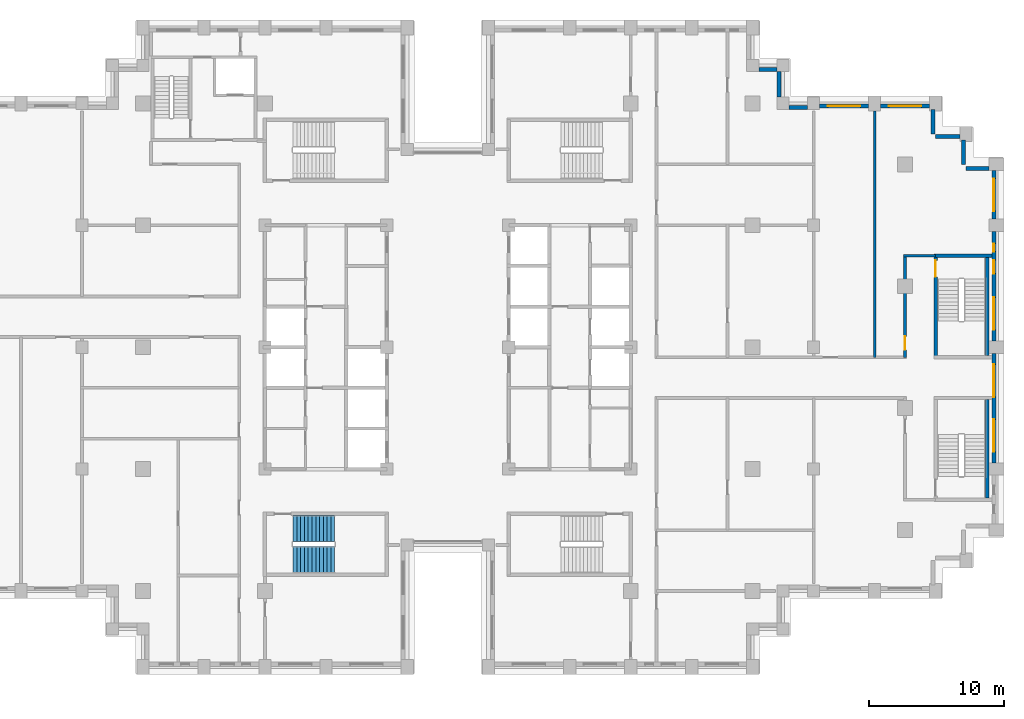
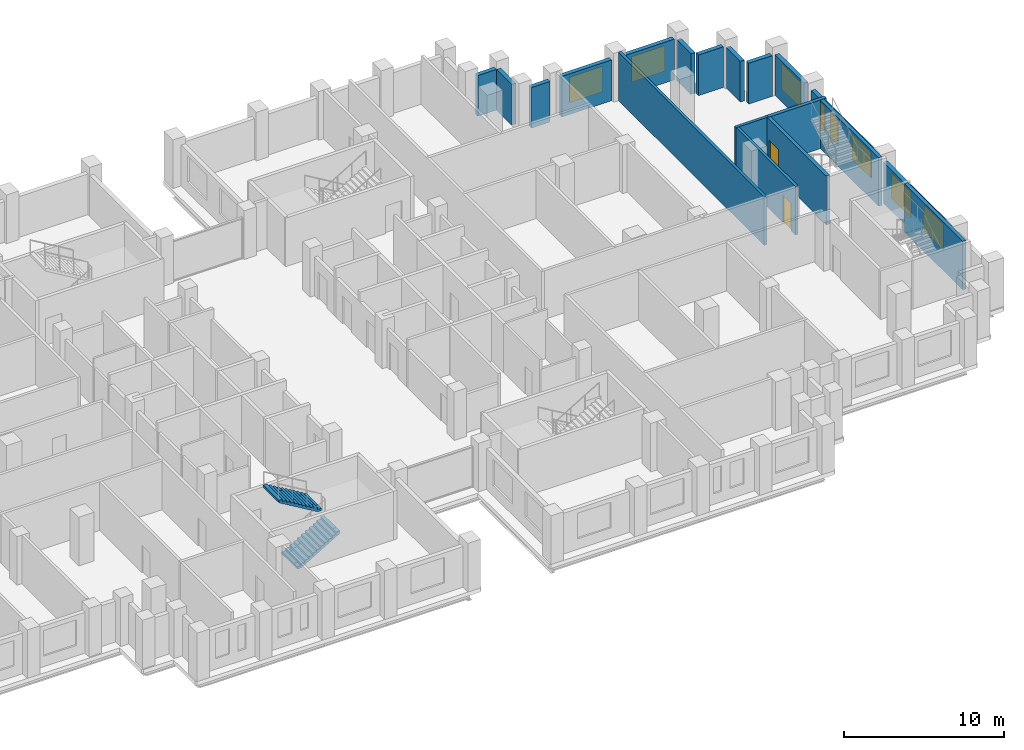
# One storey, part 12 of 15: 19 walls, 8 windows, 2 doors, 2 stair flights, 10 openings, 1 element without a shape of its own.
"""IFC4 building model written with IfcOpenShell, lengths in metres."""

from ifc_helpers import new_model, si_unit, direction, frame, frame_2d, origin, place, context, subcontext, project, spatial, polyline, rectangle, outline, extrude, material, layer, layer_set, type_object, element, fill, aggregate, save


model = new_model("IFC4")

# Units and contexts
model_context = context("Model", 3, precision=1e-05, world=origin(), true_north=direction((0.0, 1.0)))
body_context = subcontext(model_context, "Body", "Model", "MODEL_VIEW")
ifc_project = project(units=[si_unit("LENGTHUNIT", "METRE"), si_unit("AREAUNIT", "SQUARE_METRE"), si_unit("VOLUMEUNIT", "CUBIC_METRE"), si_unit("PLANEANGLEUNIT", "RADIAN"), si_unit("MASSUNIT", "GRAM", prefix="KILO")], contexts=[model_context])

# Site, building, storey
site_placement = place(None, origin())
site = spatial("IfcSite", under=ifc_project, at=site_placement, CompositionType="ELEMENT")
building_placement = place(site_placement, origin())
building = spatial("IfcBuilding", under=site, at=building_placement, Name="Corbelhall Arena Tower", CompositionType="ELEMENT")
storey_placement = place(building_placement, frame((0.0, 0.0, 130.0)))
storey = spatial("IfcBuildingStorey", under=building, at=storey_placement, Name="L24", CompositionType="ELEMENT", Elevation=130.0)

# Walls
ifc_material_1 = material(Name="Precast concrete C40/50 with granite facing", Category="masonry")
ifc_layer_1 = layer(ifc_material_1, 0.300048828125)
ifc_layer_set_1 = layer_set([ifc_layer_1], Name="EV-IW1 Infill panel 300")
wall_type_1 = type_object("IfcWallType", Name="EV-IW1 Infill panel 300", PredefinedType="SOLIDWALL", material=ifc_layer_set_1)
wall_1_placement = place(storey_placement, frame((39.949951171875, 13.199951171875, 0.0), z_axis=(0.0, 0.0, 1.0), x_axis=(-1.0, 0.0, 0.0)))
element("IfcWall", 1, at=wall_1_placement, inside=storey, type_object=wall_type_1, Name="Infill panel IW1", PredefinedType="SOLIDWALL", context=body_context, shape_type="SweptSolid", body=[
    extrude(rectangle(XDim=1.699951171875, YDim=0.300048828125, at=frame_2d((0.85009765625, 0.0))), origin(), (0.0, 0.0, 1.0), 3.10009765625),
])
for number, where, z_axis, x_axis, name in (
    (2, (38.050048828125, 15.300048828125, 0.0), (0.0, 0.0, 1.0), (0.0, -1.0, 0.0), "Infill panel IW1"),
    (3, (37.800048828125, 15.550048828125, 0.0), (0.0, 0.0, 1.0), (-1.0, 0.0, 0.0), "Infill panel IW1"),
    (4, (35.800048828125, 17.550048828125, 0.0), (0.0, 0.0, 1.0), (0.0, -1.0, 0.0), "Infill panel IW1"),
):
    element("IfcWall", number, at=place(storey_placement, frame(where, z_axis=z_axis, x_axis=x_axis)), inside=storey, type_object=wall_type_1, Name=name, PredefinedType="SOLIDWALL", context=body_context, shape_type="SweptSolid", body=[
        extrude(rectangle(XDim=1.800048828125, YDim=0.300048828125, at=frame_2d((0.89990234375, 0.0))), origin(), (0.0, 0.0, 1.0), 3.10009765625),
    ])

# Wall, openings, windows
wall_2_placement = place(storey_placement, frame((40.300048828125, -8.550048828125, 0.0), z_axis=(0.0, 0.0, 1.0), x_axis=(0.0, 1.0, 0.0)))
wall_2 = element("IfcWall", 5, at=wall_2_placement, inside=storey, type_object=wall_type_1, Name="Infill panel IW1", PredefinedType="SOLIDWALL", context=body_context, shape_type="SweptSolid", body=[
    extrude(rectangle(XDim=8.10009765625, YDim=0.300048828125, at=frame_2d((4.050048828125, 0.0))), origin(), (0.0, 0.0, 1.0), 3.10009765625),
])
opening_1_placement = place(wall_2_placement, frame((0.824951171875, 0.0, 0.800048828125)))
opening_1 = element("IfcOpeningElement", 6, at=opening_1_placement, cuts=wall_2, Name="Opening WN1", PredefinedType="OPENING", context=body_context, shape_type="SweptSolid", body=[
    extrude(rectangle(XDim=2.39990234375, YDim=1.949951171875, at=frame_2d((1.199951171875, 0.97509765625))), frame((0.0, 0.14990234375, 0.0), z_axis=(0.0, -1.0, 0.0), x_axis=(1.0, 0.0, 0.0)), (0.0, 0.0, 1.0), 0.300048828125),
])
opening_2_placement = place(wall_2_placement, frame((4.875, 0.0, 0.800048828125)))
opening_2 = element("IfcOpeningElement", 7, at=opening_2_placement, cuts=wall_2, Name="Opening WN1", PredefinedType="OPENING", context=body_context, shape_type="SweptSolid", body=[
    extrude(rectangle(XDim=2.39990234375, YDim=1.949951171875, at=frame_2d((1.199951171875, 0.97509765625))), frame((0.0, 0.14990234375, 0.0), z_axis=(0.0, -1.0, 0.0), x_axis=(1.0, 0.0, 0.0)), (0.0, 0.0, 1.0), 0.300048828125),
])
ifc_material_2 = material(Name="Aluminium black anodised", Category="aluminium")
window_type_1 = type_object("IfcWindowType", Name="EV-WN1 Office window", PartitioningType="SINGLE_PANEL", PredefinedType="WINDOW", material=ifc_material_2)
window_1_placement = place(opening_1_placement, origin())
window_1 = element("IfcWindow", 8, at=window_1_placement, inside=storey, type_object=window_type_1, Name="Window WN1", OverallHeight=1.949951171875, OverallWidth=2.39990234375, PartitioningType="SINGLE_PANEL", PredefinedType="WINDOW", context=body_context, shape_type="SweptSolid", body=[
    extrude(rectangle(XDim=2.39990234375, YDim=1.949951171875, at=frame_2d((1.199951171875, 0.97509765625))), frame((0.0, 0.030029296875, 0.0), z_axis=(0.0, -1.0, 0.0), x_axis=(1.0, 0.0, 0.0)), (0.0, 0.0, 1.0), 0.06005859375),
])
fill(opening_1, window_1)
window_2_placement = place(opening_2_placement, origin())
window_2 = element("IfcWindow", 9, at=window_2_placement, inside=storey, type_object=window_type_1, Name="Window WN1", OverallHeight=1.949951171875, OverallWidth=2.39990234375, PartitioningType="SINGLE_PANEL", PredefinedType="WINDOW", context=body_context, shape_type="SweptSolid", body=[
    extrude(rectangle(XDim=2.39990234375, YDim=1.949951171875, at=frame_2d((1.199951171875, 0.97509765625))), frame((0.0, 0.030029296875, 0.0), z_axis=(0.0, -1.0, 0.0), x_axis=(1.0, 0.0, 0.0)), (0.0, 0.0, 1.0), 0.06005859375),
])
fill(opening_2, window_2)

wall_3_placement = place(storey_placement, frame((40.300048828125, 0.449951171875, 0.0), z_axis=(0.0, 0.0, 1.0), x_axis=(0.0, 1.0, 0.0)))
wall_3 = element("IfcWall", 10, at=wall_3_placement, inside=storey, type_object=wall_type_1, Name="Infill panel IW1", PredefinedType="SOLIDWALL", context=body_context, shape_type="SweptSolid", body=[
    extrude(rectangle(XDim=8.10009765625, YDim=0.300048828125, at=frame_2d((4.050048828125, 0.0))), origin(), (0.0, 0.0, 1.0), 3.10009765625),
])
opening_3_placement = place(wall_3_placement, frame((0.824951171875, 0.0, 0.800048828125)))
opening_3 = element("IfcOpeningElement", 11, at=opening_3_placement, cuts=wall_3, Name="Opening WN1", PredefinedType="OPENING", context=body_context, shape_type="SweptSolid", body=[
    extrude(rectangle(XDim=2.39990234375, YDim=1.949951171875, at=frame_2d((1.199951171875, 0.97509765625))), frame((0.0, 0.14990234375, 0.0), z_axis=(0.0, -1.0, 0.0), x_axis=(1.0, 0.0, 0.0)), (0.0, 0.0, 1.0), 0.300048828125),
])
opening_4_placement = place(wall_3_placement, frame((4.97509765625, 0.0, 0.800048828125)))
opening_4 = element("IfcOpeningElement", 12, at=opening_4_placement, cuts=wall_3, Name="Opening WN6", PredefinedType="OPENING", context=body_context, shape_type="SweptSolid", body=[
    extrude(rectangle(XDim=1.0, YDim=1.949951171875, at=frame_2d((0.5, 0.97509765625))), frame((0.0, 0.14990234375, 0.0), z_axis=(0.0, -1.0, 0.0), x_axis=(1.0, 0.0, 0.0)), (0.0, 0.0, 1.0), 0.300048828125),
])
opening_5_placement = place(wall_3_placement, frame((6.60009765625, 0.0, 0.800048828125)))
opening_5 = element("IfcOpeningElement", 13, at=opening_5_placement, cuts=wall_3, Name="Opening WN5", PredefinedType="OPENING", context=body_context, shape_type="SweptSolid", body=[
    extrude(rectangle(XDim=0.60009765625, YDim=1.949951171875, at=frame_2d((0.300048828125, 0.97509765625))), frame((0.0, 0.14990234375, 0.0), z_axis=(0.0, -1.0, 0.0), x_axis=(1.0, 0.0, 0.0)), (0.0, 0.0, 1.0), 0.300048828125),
])
window_3_placement = place(opening_3_placement, origin())
window_3 = element("IfcWindow", 14, at=window_3_placement, inside=storey, type_object=window_type_1, Name="Window WN1", OverallHeight=1.949951171875, OverallWidth=2.39990234375, PartitioningType="SINGLE_PANEL", PredefinedType="WINDOW", context=body_context, shape_type="SweptSolid", body=[
    extrude(rectangle(XDim=2.39990234375, YDim=1.949951171875, at=frame_2d((1.199951171875, 0.97509765625))), frame((0.0, 0.030029296875, 0.0), z_axis=(0.0, -1.0, 0.0), x_axis=(1.0, 0.0, 0.0)), (0.0, 0.0, 1.0), 0.06005859375),
])
fill(opening_3, window_3)
window_type_2 = type_object("IfcWindowType", Name="EV-WN5 Office window 600", PartitioningType="SINGLE_PANEL", PredefinedType="WINDOW", material=ifc_material_2)
window_4_placement = place(opening_5_placement, origin())
window_4 = element("IfcWindow", 15, at=window_4_placement, inside=storey, type_object=window_type_2, Name="Window WN5", OverallHeight=1.949951171875, OverallWidth=0.60009765625, PartitioningType="SINGLE_PANEL", PredefinedType="WINDOW", context=body_context, shape_type="SweptSolid", body=[
    extrude(rectangle(XDim=0.60009765625, YDim=1.949951171875, at=frame_2d((0.300048828125, 0.97509765625))), frame((0.0, 0.030029296875, 0.0), z_axis=(0.0, -1.0, 0.0), x_axis=(1.0, 0.0, 0.0)), (0.0, 0.0, 1.0), 0.06005859375),
])
fill(opening_5, window_4)
window_type_3 = type_object("IfcWindowType", Name="EV-WN6 Office window 1000", PartitioningType="SINGLE_PANEL", PredefinedType="WINDOW", material=ifc_material_2)
window_5_placement = place(opening_4_placement, origin())
window_5 = element("IfcWindow", 16, at=window_5_placement, inside=storey, type_object=window_type_3, Name="Window WN6", OverallHeight=1.949951171875, OverallWidth=1.0, PartitioningType="SINGLE_PANEL", PredefinedType="WINDOW", context=body_context, shape_type="SweptSolid", body=[
    extrude(rectangle(XDim=1.0, YDim=1.949951171875, at=frame_2d((0.5, 0.97509765625))), frame((0.0, 0.030029296875, 0.0), z_axis=(0.0, -1.0, 0.0), x_axis=(1.0, 0.0, 0.0)), (0.0, 0.0, 1.0), 0.06005859375),
])
fill(opening_4, window_5)

# Wall, opening, window
wall_4_placement = place(storey_placement, frame((40.300048828125, 9.449951171875, 0.0), z_axis=(0.0, 0.0, 1.0), x_axis=(0.0, 1.0, 0.0)))
wall_4 = element("IfcWall", 17, at=wall_4_placement, inside=storey, type_object=wall_type_1, Name="Infill panel IW1", PredefinedType="SOLIDWALL", context=body_context, shape_type="SweptSolid", body=[
    extrude(rectangle(XDim=3.60009765625, YDim=0.300048828125, at=frame_2d((1.800048828125, 0.0))), origin(), (0.0, 0.0, 1.0), 3.10009765625),
])
opening_6_placement = place(wall_4_placement, frame((0.60009765625, 0.0, 0.800048828125)))
opening_6 = element("IfcOpeningElement", 18, at=opening_6_placement, cuts=wall_4, Name="Opening WN1", PredefinedType="OPENING", context=body_context, shape_type="SweptSolid", body=[
    extrude(rectangle(XDim=2.39990234375, YDim=1.949951171875, at=frame_2d((1.199951171875, 0.97509765625))), frame((0.0, 0.14990234375, 0.0), z_axis=(0.0, -1.0, 0.0), x_axis=(1.0, 0.0, 0.0)), (0.0, 0.0, 1.0), 0.300048828125),
])
window_6_placement = place(opening_6_placement, origin())
window_6 = element("IfcWindow", 19, at=window_6_placement, inside=storey, type_object=window_type_1, Name="Window WN1", OverallHeight=1.949951171875, OverallWidth=2.39990234375, PartitioningType="SINGLE_PANEL", PredefinedType="WINDOW", context=body_context, shape_type="SweptSolid", body=[
    extrude(rectangle(XDim=2.39990234375, YDim=1.949951171875, at=frame_2d((1.199951171875, 0.97509765625))), frame((0.0, 0.030029296875, 0.0), z_axis=(0.0, -1.0, 0.0), x_axis=(1.0, 0.0, 0.0)), (0.0, 0.0, 1.0), 0.06005859375),
])
fill(opening_6, window_6)

wall_5_placement = place(storey_placement, frame((35.550048828125, 17.800048828125, 0.0), z_axis=(0.0, 0.0, 1.0), x_axis=(-1.0, 0.0, 0.0)))
wall_5 = element("IfcWall", 20, at=wall_5_placement, inside=storey, type_object=wall_type_1, Name="Infill panel IW1", PredefinedType="SOLIDWALL", context=body_context, shape_type="SweptSolid", body=[
    extrude(rectangle(XDim=3.60009765625, YDim=0.300048828125, at=frame_2d((1.800048828125, 0.0))), origin(), (0.0, 0.0, 1.0), 3.10009765625),
])
opening_7_placement = place(wall_5_placement, frame((0.60009765625, 0.0, 0.800048828125)))
opening_7 = element("IfcOpeningElement", 21, at=opening_7_placement, cuts=wall_5, Name="Opening WN1", PredefinedType="OPENING", context=body_context, shape_type="SweptSolid", body=[
    extrude(rectangle(XDim=2.39990234375, YDim=1.949951171875, at=frame_2d((1.199951171875, 0.97509765625))), frame((0.0, 0.14990234375, 0.0), z_axis=(0.0, -1.0, 0.0), x_axis=(1.0, 0.0, 0.0)), (0.0, 0.0, 1.0), 0.300048828125),
])
window_7_placement = place(opening_7_placement, origin())
window_7 = element("IfcWindow", 22, at=window_7_placement, inside=storey, type_object=window_type_1, Name="Window WN1", OverallHeight=1.949951171875, OverallWidth=2.39990234375, PartitioningType="SINGLE_PANEL", PredefinedType="WINDOW", context=body_context, shape_type="SweptSolid", body=[
    extrude(rectangle(XDim=2.39990234375, YDim=1.949951171875, at=frame_2d((1.199951171875, 0.97509765625))), frame((0.0, 0.030029296875, 0.0), z_axis=(0.0, -1.0, 0.0), x_axis=(1.0, 0.0, 0.0)), (0.0, 0.0, 1.0), 0.06005859375),
])
fill(opening_7, window_7)

wall_6_placement = place(storey_placement, frame((31.050048828125, 17.800048828125, 0.0), z_axis=(0.0, 0.0, 1.0), x_axis=(-1.0, 0.0, 0.0)))
wall_6 = element("IfcWall", 23, at=wall_6_placement, inside=storey, type_object=wall_type_1, Name="Infill panel IW1", PredefinedType="SOLIDWALL", context=body_context, shape_type="SweptSolid", body=[
    extrude(rectangle(XDim=3.60009765625, YDim=0.300048828125, at=frame_2d((1.800048828125, 0.0))), origin(), (0.0, 0.0, 1.0), 3.10009765625),
])
opening_8_placement = place(wall_6_placement, frame((0.60009765625, 0.0, 0.800048828125)))
opening_8 = element("IfcOpeningElement", 24, at=opening_8_placement, cuts=wall_6, Name="Opening WN1", PredefinedType="OPENING", context=body_context, shape_type="SweptSolid", body=[
    extrude(rectangle(XDim=2.39990234375, YDim=1.949951171875, at=frame_2d((1.199951171875, 0.97509765625))), frame((0.0, 0.14990234375, 0.0), z_axis=(0.0, -1.0, 0.0), x_axis=(1.0, 0.0, 0.0)), (0.0, 0.0, 1.0), 0.300048828125),
])
window_8_placement = place(opening_8_placement, origin())
window_8 = element("IfcWindow", 25, at=window_8_placement, inside=storey, type_object=window_type_1, Name="Window WN1", OverallHeight=1.949951171875, OverallWidth=2.39990234375, PartitioningType="SINGLE_PANEL", PredefinedType="WINDOW", context=body_context, shape_type="SweptSolid", body=[
    extrude(rectangle(XDim=2.39990234375, YDim=1.949951171875, at=frame_2d((1.199951171875, 0.97509765625))), frame((0.0, 0.030029296875, 0.0), z_axis=(0.0, -1.0, 0.0), x_axis=(1.0, 0.0, 0.0)), (0.0, 0.0, 1.0), 0.06005859375),
])
fill(opening_8, window_8)

# Walls
wall_7_placement = place(storey_placement, frame((26.550048828125, 17.699951171875, 0.0), z_axis=(0.0, 0.0, 1.0), x_axis=(-1.0, 0.0, 0.0)))
element("IfcWall", 26, at=wall_7_placement, inside=storey, type_object=wall_type_1, Name="Infill panel IW1", PredefinedType="SOLIDWALL", context=body_context, shape_type="SweptSolid", body=[
    extrude(rectangle(XDim=1.35009765625, YDim=0.300048828125, at=frame_2d((0.675048828125, 0.0))), origin(), (0.0, 0.0, 1.0), 3.10009765625),
])
wall_8_placement = place(storey_placement, frame((24.449951171875, 18.449951171875, 0.0), z_axis=(0.0, 0.0, 1.0), x_axis=(0.0, 1.0, 0.0)))
element("IfcWall", 27, at=wall_8_placement, inside=storey, type_object=wall_type_1, Name="Infill panel IW1", PredefinedType="SOLIDWALL", context=body_context, shape_type="SweptSolid", body=[
    extrude(rectangle(XDim=1.900146484375, YDim=0.300048828125, at=frame_2d((0.9501953125, 0.0))), origin(), (0.0, 0.0, 1.0), 3.10009765625),
])
wall_9_placement = place(storey_placement, frame((24.300048828125, 20.5, 0.0), z_axis=(0.0, 0.0, 1.0), x_axis=(-1.0, 0.0, 0.0)))
element("IfcWall", 28, at=wall_9_placement, inside=storey, type_object=wall_type_1, Name="Infill panel IW1", PredefinedType="SOLIDWALL", context=body_context, shape_type="SweptSolid", body=[
    extrude(rectangle(XDim=1.35009765625, YDim=0.300048828125, at=frame_2d((0.675048828125, 0.0))), origin(), (0.0, 0.0, 1.0), 3.10009765625),
])
ifc_material_3 = material(Name="Gypsum board on steel stud, acoustic", Category="steel")
ifc_layer_2 = layer(ifc_material_3, 0.199951171875)
ifc_layer_set_2 = layer_set([ifc_layer_2], Name="IN-W-DM200")
wall_type_2 = type_object("IfcWallType", Name="IN-W-DM200", PredefinedType="PARTITIONING", material=ifc_layer_set_2)
wall_10_placement = place(storey_placement, frame((31.5, 17.449951171875, 0.0), z_axis=(0.0, 0.0, 1.0), x_axis=(0.0, -1.0, 0.0)))
element("IfcWall", 29, at=wall_10_placement, inside=storey, type_object=wall_type_2, Name="Partition 042", PredefinedType="PARTITIONING", context=body_context, shape_type="SweptSolid", body=[
    extrude(rectangle(XDim=18.199951171875, YDim=0.199951171875, at=frame_2d((9.10009765625, 0.0))), origin(), (0.0, 0.0, 1.0), 3.699951171875),
])
wall_11_placement = place(storey_placement, frame((33.64990234375, 6.75, 0.0), z_axis=(0.0, 0.0, 1.0), x_axis=(1.0, 0.0, 0.0)))
element("IfcWall", 30, at=wall_11_placement, inside=storey, type_object=wall_type_2, Name="Partition 043", PredefinedType="PARTITIONING", context=body_context, shape_type="SweptSolid", body=[
    extrude(rectangle(XDim=2.35009765625, YDim=0.199951171875, at=frame_2d((1.175048828125, 0.0))), origin(), (0.0, 0.0, 1.0), 3.699951171875),
])

# Wall, opening, door
wall_12_placement = place(storey_placement, frame((33.75, -0.75, 0.0), z_axis=(0.0, 0.0, 1.0), x_axis=(0.0, 1.0, 0.0)))
wall_12 = element("IfcWall", 31, at=wall_12_placement, inside=storey, type_object=wall_type_2, Name="Partition 045", PredefinedType="PARTITIONING", context=body_context, shape_type="SweptSolid", body=[
    extrude(rectangle(XDim=7.5, YDim=0.199951171875, at=frame_2d((3.75, 0.0))), origin(), (0.0, 0.0, 1.0), 3.699951171875),
])
opening_9_placement = place(wall_12_placement, frame((0.550048828125, 0.0, 0.0)))
opening_9 = element("IfcOpeningElement", 32, at=opening_9_placement, cuts=wall_12, Name="Opening 06047", PredefinedType="OPENING", context=body_context, shape_type="SweptSolid", body=[
    extrude(rectangle(XDim=1.0, YDim=2.10009765625, at=frame_2d((0.5, 1.050048828125))), frame((0.0, 0.10009765625, 0.0), z_axis=(0.0, -1.0, 0.0), x_axis=(1.0, 0.0, 0.0)), (0.0, 0.0, 1.0), 0.199951171875),
])
ifc_material_4 = material(Name="Steel door set", Category="steel")
door_type_1 = type_object("IfcDoorType", Name="IN-D-SW100", OperationType="NOTDEFINED", PredefinedType="DOOR", material=ifc_material_4)
door_1_placement = place(opening_9_placement, origin())
door_1 = element("IfcDoor", 33, at=door_1_placement, inside=storey, type_object=door_type_1, Name="Door 047", OperationType="SINGLE_SWING_RIGHT", OverallHeight=2.10009765625, OverallWidth=1.0, PredefinedType="DOOR", context=body_context, shape_type="SweptSolid", body=[
    extrude(rectangle(XDim=1.0, YDim=2.10009765625, at=frame_2d((0.5, 1.050048828125))), frame((0.0, 0.02490234375, 0.0), z_axis=(0.0, -1.0, 0.0), x_axis=(1.0, 0.0, 0.0)), (0.0, 0.0, 1.0), 0.050048828125),
])
fill(opening_9, door_1)

ifc_material_5 = material(Name="Concrete C40/50", Category="concrete")
ifc_layer_3 = layer(ifc_material_5, 0.25)
ifc_layer_set_3 = layer_set([ifc_layer_3], Name="IN-W-ST250")
wall_type_3 = type_object("IfcWallType", Name="IN-W-ST250", PredefinedType="SOLIDWALL", material=ifc_layer_set_3)
wall_13_placement = place(storey_placement, frame((36.0, -0.75, 0.0), z_axis=(0.0, 0.0, 1.0), x_axis=(0.0, 1.0, 0.0)))
wall_13 = element("IfcWall", 34, at=wall_13_placement, inside=storey, type_object=wall_type_3, Name="Shaft wall 110", PredefinedType="SOLIDWALL", context=body_context, shape_type="SweptSolid", body=[
    extrude(rectangle(XDim=7.625, YDim=0.25, at=frame_2d((3.8125, 0.0))), origin(), (0.0, 0.0, 1.0), 3.699951171875),
])
opening_10_placement = place(wall_13_placement, frame((5.949951171875, 0.0, 0.0)))
opening_10 = element("IfcOpeningElement", 35, at=opening_10_placement, cuts=wall_13, Name="Opening 06022", PredefinedType="OPENING", context=body_context, shape_type="SweptSolid", body=[
    extrude(rectangle(XDim=1.199951171875, YDim=2.10009765625, at=frame_2d((0.60009765625, 1.050048828125))), frame((0.0, 0.125, 0.0), z_axis=(0.0, -1.0, 0.0), x_axis=(1.0, 0.0, 0.0)), (0.0, 0.0, 1.0), 0.25),
])
door_type_2 = type_object("IfcDoorType", Name="IN-D-ST120", OperationType="NOTDEFINED", PredefinedType="DOOR", material=ifc_material_4)
door_2_placement = place(opening_10_placement, origin())
door_2 = element("IfcDoor", 36, at=door_2_placement, inside=storey, type_object=door_type_2, Name="Door 022", OperationType="SINGLE_SWING_LEFT", OverallHeight=2.10009765625, OverallWidth=1.199951171875, PredefinedType="DOOR", context=body_context, shape_type="SweptSolid", body=[
    extrude(rectangle(XDim=1.199951171875, YDim=2.10009765625, at=frame_2d((0.60009765625, 1.050048828125))), frame((0.0, 0.02490234375, 0.0), z_axis=(0.0, -1.0, 0.0), x_axis=(1.0, 0.0, 0.0)), (0.0, 0.0, 1.0), 0.050048828125),
])
fill(opening_10, door_2)

# Walls
wall_14_placement = place(storey_placement, frame((36.0, 6.75, 0.0), z_axis=(0.0, 0.0, 1.0), x_axis=(1.0, 0.0, 0.0)))
element("IfcWall", 37, at=wall_14_placement, inside=storey, type_object=wall_type_3, Name="Shaft wall 111", PredefinedType="SOLIDWALL", context=body_context, shape_type="SweptSolid", body=[
    extrude(rectangle(XDim=4.14990234375, YDim=0.25, at=frame_2d((2.074951171875, 0.0))), origin(), (0.0, 0.0, 1.0), 3.699951171875),
])
for number, where, z_axis, x_axis, name in (
    (38, (39.824951171875, -11.125, 0.0), (0.0, 0.0, 1.0), (0.0, 1.0, 0.0), "Shaft wall SD1 facade side"),
    (39, (39.824951171875, -0.625, 0.0), (0.0, 0.0, 1.0), (0.0, 1.0, 0.0), "Shaft wall SD2 facade side"),
):
    element("IfcWall", number, at=place(storey_placement, frame(where, z_axis=z_axis, x_axis=x_axis)), inside=storey, type_object=wall_type_3, Name=name, PredefinedType="SOLIDWALL", context=body_context, shape_type="SweptSolid", body=[
        extrude(rectangle(XDim=7.25, YDim=0.25, at=frame_2d((3.625, 0.0))), origin(), (0.0, 0.0, 1.0), 3.699951171875),
    ])

# Stair, stair flights
stair_type = type_object("IfcStairType", Name="IN-ST-TOWER", PredefinedType="HALF_TURN_STAIR", material=ifc_material_5)
stair_placement = place(storey_placement, origin())
stair = element("IfcStair", 40, at=stair_placement, inside=storey, type_object=stair_type, Name="L24 Exit stair ST2", PredefinedType="HALF_TURN_STAIR")
stair_flight_type = type_object("IfcStairFlightType", Name="IN-SFL-RC", PredefinedType="STRAIGHT", material=ifc_material_5)
stair_flight_1_placement = place(storey_placement, frame((-11.425048828125, -15.699951171875, 0.0), z_axis=(0.0, 0.0, 1.0), x_axis=(1.0, 0.0, 0.0)))
stair_flight_1 = element("IfcStairFlight", 41, at=stair_flight_1_placement, type_object=stair_flight_type, Name="ST2 flight 1", NumberOfRisers=12, NumberOfTreads=11, PredefinedType="STRAIGHT", RiserHeight=0.166666667, TreadLength=0.28, context=body_context, shape_type="SweptSolid", body=[
    extrude(outline(polyline([(0.0, 0.0), (0.0, 0.166748046875), (0.280029296875, 0.166748046875), (0.280029296875, 0.333251953125), (0.56005859375, 0.333251953125), (0.56005859375, 0.5), (0.840087890625, 0.5), (0.840087890625, 0.666748046875), (1.1201171875, 0.666748046875), (1.1201171875, 0.833251953125), (1.39990234375, 0.833251953125), (1.39990234375, 1.0), (1.679931640625, 1.0), (1.679931640625, 1.166748046875), (1.9599609375, 1.166748046875), (1.9599609375, 1.333251953125), (2.239990234375, 1.333251953125), (2.239990234375, 1.5), (2.52001953125, 1.5), (2.52001953125, 1.666748046875), (2.800048828125, 1.666748046875), (2.800048828125, 1.833251953125), (3.080078125, 1.833251953125), (3.080078125, 2.0), (3.080078125, 1.658935546875), (0.29296875, 0.0), (0.0, 0.0)])), frame((0.0, 0.97509765625, 0.0), z_axis=(0.0, -1.0, 0.0), x_axis=(1.0, 0.0, 0.0)), (0.0, 0.0, 1.0), 0.449951171875),
    extrude(outline(polyline([(0.0, 0.0), (0.0, 0.166748046875), (0.280029296875, 0.166748046875), (0.280029296875, 0.333251953125), (0.56005859375, 0.333251953125), (0.56005859375, 0.5), (0.840087890625, 0.5), (0.840087890625, 0.666748046875), (1.1201171875, 0.666748046875), (1.1201171875, 0.833251953125), (1.39990234375, 0.833251953125), (1.39990234375, 1.0), (1.679931640625, 1.0), (1.679931640625, 1.166748046875), (1.9599609375, 1.166748046875), (1.9599609375, 1.333251953125), (2.239990234375, 1.333251953125), (2.239990234375, 1.5), (2.52001953125, 1.5), (2.52001953125, 1.666748046875), (2.800048828125, 1.666748046875), (2.800048828125, 1.833251953125), (3.080078125, 1.833251953125), (3.080078125, 2.0), (3.080078125, 1.658935546875), (0.29296875, 0.0), (0.0, 0.0)])), frame((0.0, 0.52099609375, 0.0), z_axis=(0.0, -1.0, 0.0), x_axis=(1.0, 0.0, 0.0)), (0.0, 0.0, 1.0), 1.0419921875),
    extrude(outline(polyline([(0.0, 0.0), (0.0, 0.166748046875), (0.280029296875, 0.166748046875), (0.280029296875, 0.333251953125), (0.56005859375, 0.333251953125), (0.56005859375, 0.5), (0.840087890625, 0.5), (0.840087890625, 0.666748046875), (1.1201171875, 0.666748046875), (1.1201171875, 0.833251953125), (1.39990234375, 0.833251953125), (1.39990234375, 1.0), (1.679931640625, 1.0), (1.679931640625, 1.166748046875), (1.9599609375, 1.166748046875), (1.9599609375, 1.333251953125), (2.239990234375, 1.333251953125), (2.239990234375, 1.5), (2.52001953125, 1.5), (2.52001953125, 1.666748046875), (2.800048828125, 1.666748046875), (2.800048828125, 1.833251953125), (3.080078125, 1.833251953125), (3.080078125, 2.0), (3.080078125, 1.658935546875), (0.29296875, 0.0), (0.0, 0.0)])), frame((0.0, -0.52490234375, 0.0), z_axis=(0.0, -1.0, 0.0), x_axis=(1.0, 0.0, 0.0)), (0.0, 0.0, 1.0), 0.449951171875),
])
stair_flight_2_placement = place(storey_placement, frame((-8.344970703125, -13.39990234375, 2.0), z_axis=(0.0, 0.0, 1.0), x_axis=(-1.0, 0.0, 0.0)))
stair_flight_2 = element("IfcStairFlight", 42, at=stair_flight_2_placement, type_object=stair_flight_type, Name="ST2 flight 2", NumberOfRisers=12, NumberOfTreads=11, PredefinedType="STRAIGHT", RiserHeight=0.166666667, TreadLength=0.28, context=body_context, shape_type="SweptSolid", body=[
    extrude(outline(polyline([(0.0, 0.0), (0.0, 0.166748046875), (0.280029296875, 0.166748046875), (0.280029296875, 0.333251953125), (0.56005859375, 0.333251953125), (0.56005859375, 0.5), (0.840087890625, 0.5), (0.840087890625, 0.666748046875), (1.1201171875, 0.666748046875), (1.1201171875, 0.833251953125), (1.39990234375, 0.833251953125), (1.39990234375, 1.0), (1.679931640625, 1.0), (1.679931640625, 1.166748046875), (1.9599609375, 1.166748046875), (1.9599609375, 1.333251953125), (2.239990234375, 1.333251953125), (2.239990234375, 1.5), (2.52001953125, 1.5), (2.52001953125, 1.666748046875), (2.800048828125, 1.666748046875), (2.800048828125, 1.833251953125), (3.080078125, 1.833251953125), (3.080078125, 2.0), (3.080078125, 1.658935546875), (0.29296875, 0.0), (0.0, 0.0)])), frame((0.0, 0.97509765625, 0.0), z_axis=(0.0, -1.0, 0.0), x_axis=(1.0, 0.0, 0.0)), (0.0, 0.0, 1.0), 0.449951171875),
    extrude(outline(polyline([(0.0, 0.0), (0.0, 0.166748046875), (0.280029296875, 0.166748046875), (0.280029296875, 0.333251953125), (0.56005859375, 0.333251953125), (0.56005859375, 0.5), (0.840087890625, 0.5), (0.840087890625, 0.666748046875), (1.1201171875, 0.666748046875), (1.1201171875, 0.833251953125), (1.39990234375, 0.833251953125), (1.39990234375, 1.0), (1.679931640625, 1.0), (1.679931640625, 1.166748046875), (1.9599609375, 1.166748046875), (1.9599609375, 1.333251953125), (2.239990234375, 1.333251953125), (2.239990234375, 1.5), (2.52001953125, 1.5), (2.52001953125, 1.666748046875), (2.800048828125, 1.666748046875), (2.800048828125, 1.833251953125), (3.080078125, 1.833251953125), (3.080078125, 2.0), (3.080078125, 1.658935546875), (0.29296875, 0.0), (0.0, 0.0)])), frame((0.0, 0.52099609375, 0.0), z_axis=(0.0, -1.0, 0.0), x_axis=(1.0, 0.0, 0.0)), (0.0, 0.0, 1.0), 1.0419921875),
    extrude(outline(polyline([(0.0, 0.0), (0.0, 0.166748046875), (0.280029296875, 0.166748046875), (0.280029296875, 0.333251953125), (0.56005859375, 0.333251953125), (0.56005859375, 0.5), (0.840087890625, 0.5), (0.840087890625, 0.666748046875), (1.1201171875, 0.666748046875), (1.1201171875, 0.833251953125), (1.39990234375, 0.833251953125), (1.39990234375, 1.0), (1.679931640625, 1.0), (1.679931640625, 1.166748046875), (1.9599609375, 1.166748046875), (1.9599609375, 1.333251953125), (2.239990234375, 1.333251953125), (2.239990234375, 1.5), (2.52001953125, 1.5), (2.52001953125, 1.666748046875), (2.800048828125, 1.666748046875), (2.800048828125, 1.833251953125), (3.080078125, 1.833251953125), (3.080078125, 2.0), (3.080078125, 1.658935546875), (0.29296875, 0.0), (0.0, 0.0)])), frame((0.0, -0.52490234375, 0.0), z_axis=(0.0, -1.0, 0.0), x_axis=(1.0, 0.0, 0.0)), (0.0, 0.0, 1.0), 0.449951171875),
])
aggregate(stair, [stair_flight_1, stair_flight_2])

save(model, "model.ifc")
